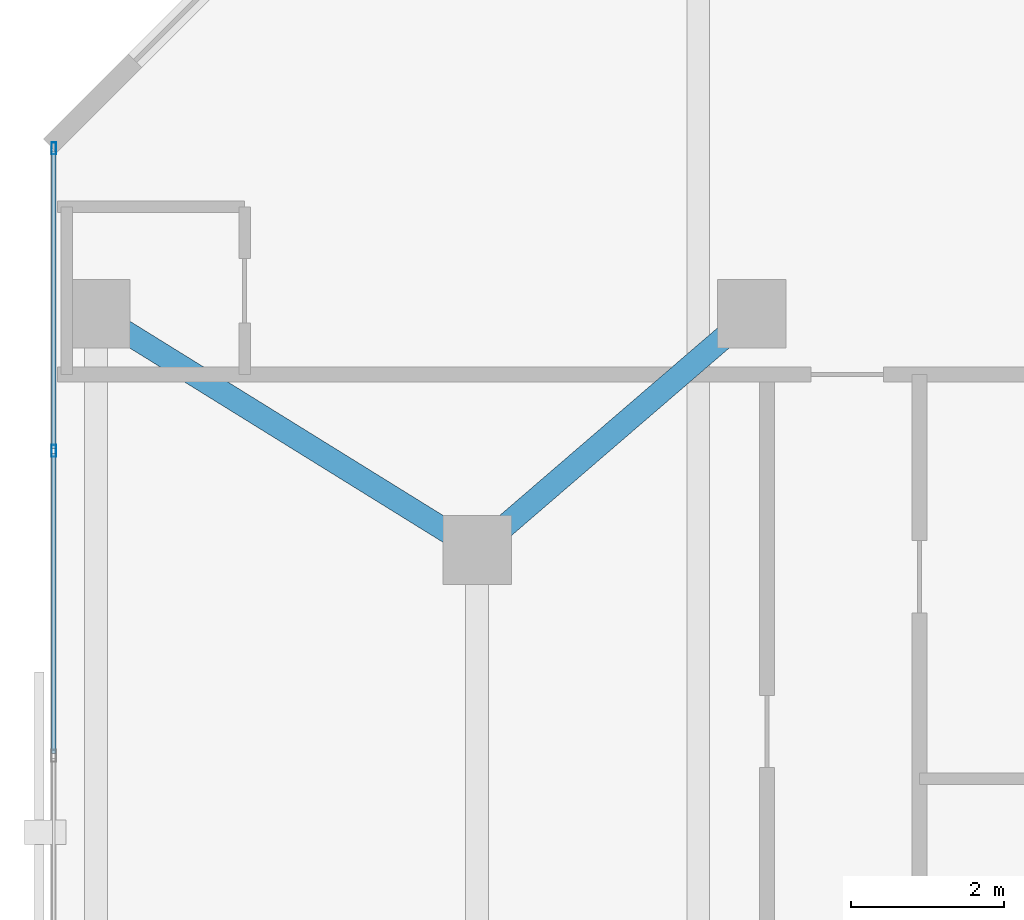
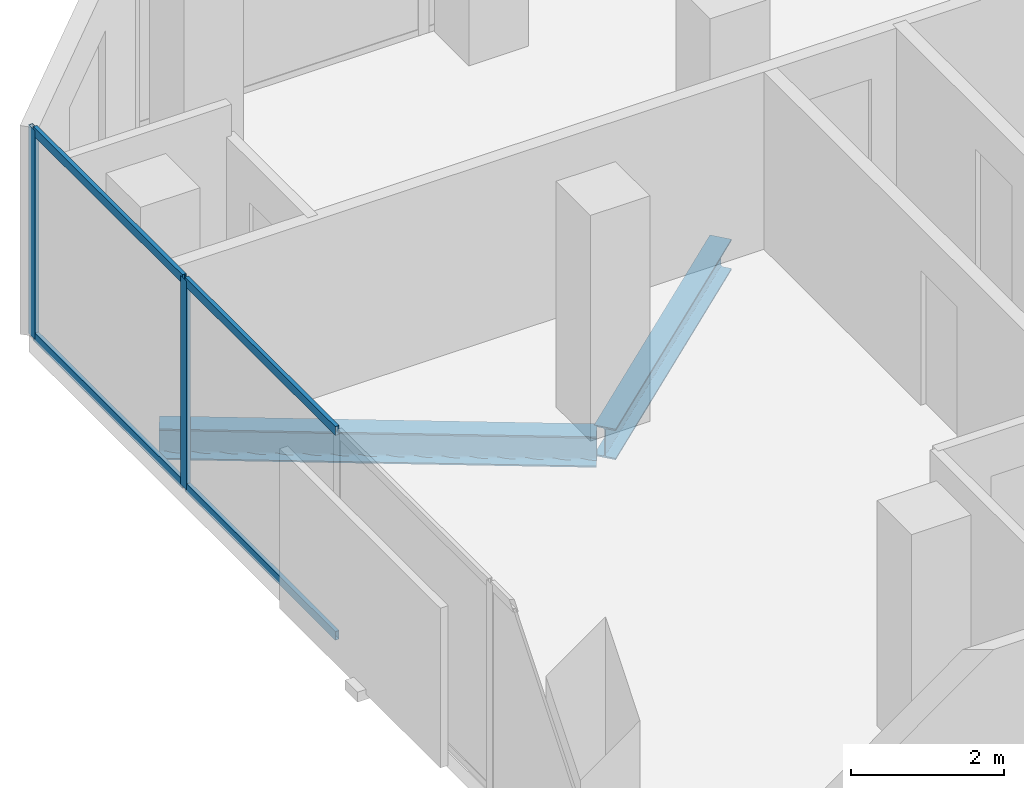
# One storey, part 17 of 34: 6 members, 2 beams, 1 element without a shape of its own.
"""IFC4 building model written with IfcOpenShell, lengths in metres."""

from ifc_helpers import new_model, si_unit, direction, frame, origin, origin_2d, place, context, subcontext, project, spatial, hollow_rectangle, i_section, extrude, material, layer, layer_set, material_profile, profile_set, type_object, element, aggregate, save


model = new_model("IFC4")

# Units and contexts
model_context = context("Model", 3, precision=1e-05, world=origin(), true_north=direction((0.0, 1.0)))
body_context = subcontext(model_context, "Body", "Model", "MODEL_VIEW")
ifc_project = project(units=[si_unit("LENGTHUNIT", "METRE"), si_unit("AREAUNIT", "SQUARE_METRE"), si_unit("VOLUMEUNIT", "CUBIC_METRE"), si_unit("PLANEANGLEUNIT", "RADIAN"), si_unit("MASSUNIT", "GRAM", prefix="KILO")], contexts=[model_context])

# Site, building, storey
site_placement = place(None, origin())
site = spatial("IfcSite", under=ifc_project, at=site_placement, CompositionType="ELEMENT")
building_placement = place(site_placement, origin())
building = spatial("IfcBuilding", under=site, at=building_placement, Name="Catumbela Crestline Tower", CompositionType="ELEMENT")
storey_placement = place(building_placement, frame((0.0, 0.0, 97.2)))
storey = spatial("IfcBuildingStorey", under=building, at=storey_placement, Name="L24", CompositionType="ELEMENT", Elevation=97.2)

# Beams
ifc_material_1 = material(Name="Structural steel S355J2", Category="steel")
ifc_material_profile_1 = material_profile(ifc_material_1, i_section(OverallWidth=0.3, OverallDepth=0.49, WebThickness=0.012, FlangeThickness=0.023, FilletRadius=0.027, at=origin_2d()), Name="HEA 500")
ifc_profile_set_1 = profile_set([ifc_material_profile_1], Name="Structural steel S355J2")
beam_type = type_object("IfcBeamType", Name="BG-HEA500", PredefinedType="BEAM", material=ifc_profile_set_1)
beam_1_placement = place(storey_placement, frame((0.668, 42.2578, -0.505), z_axis=(0.849908952007, -0.526929571479, 0.0), x_axis=(0.526929571479, 0.849908952007, 0.0)))
element("IfcBeam", 1, at=beam_1_placement, inside=storey, type_object=beam_type, Name="L24 Beam BM-L24-N12", PredefinedType="BEAM", context=body_context, shape_type="SweptSolid", body=[
    extrude(i_section(OverallWidth=0.3, OverallDepth=0.49, WebThickness=0.012, FlangeThickness=0.023, FilletRadius=0.027, at=origin_2d()), origin(), (0.0, 0.0, 1.0), 5.723),
])
beam_2_placement = place(storey_placement, frame((5.6606, 39.2522, -0.505), z_axis=(0.757772392559, 0.652518966066, 0.0), x_axis=(-0.652518966066, 0.757772392559, 0.0)))
element("IfcBeam", 2, at=beam_2_placement, inside=storey, type_object=beam_type, Name="L24 Beam BM-L24-N13", PredefinedType="BEAM", context=body_context, shape_type="SweptSolid", body=[
    extrude(i_section(OverallWidth=0.3, OverallDepth=0.49, WebThickness=0.012, FlangeThickness=0.023, FilletRadius=0.027, at=origin_2d()), origin(), (0.0, 0.0, 1.0), 4.5908),
])

# Curtain wall, members
ifc_material_2 = material(Name="Aluminium alloy AW-6060-T66", Category="aluminium")
ifc_layer = layer(ifc_material_2, 0.18, Name="Aluminium alloy AW-6060-T66")
ifc_layer_set = layer_set([ifc_layer], Name="Aluminium alloy AW-6060-T66")
curtain_wall_type = type_object("IfcCurtainWallType", Name="CWU-Z2", PredefinedType="USERDEFINED", material=ifc_layer_set)
curtain_wall_placement = place(storey_placement, origin())
curtain_wall = element("IfcCurtainWall", 3, at=curtain_wall_placement, inside=storey, type_object=curtain_wall_type, Name="L24 Unitised Curtain Wall CW-L24-E9S1", ObjectType="UNITISED", PredefinedType="USERDEFINED")
ifc_material_profile_2 = material_profile(ifc_material_2, hollow_rectangle(XDim=0.06, YDim=0.16, WallThickness=0.004, at=origin_2d()), Name="ALU 160x60x4")
ifc_profile_set_2 = profile_set([ifc_material_profile_2], Name="Aluminium alloy AW-6060-T66")
member_type_1 = type_object("IfcMemberType", Name="MUL-160X60", PredefinedType="MULLION", material=ifc_profile_set_2)
member_1_placement = place(storey_placement, frame((0.05, 44.4675, 0.0), z_axis=(0.0, 0.0, 1.0), x_axis=(1.0, 0.0, 0.0)))
member_1 = element("IfcMember", 4, at=member_1_placement, type_object=member_type_1, Name="CWU-Z2 mullion 1", PredefinedType="MULLION", context=body_context, shape_type="SweptSolid", body=[
    extrude(hollow_rectangle(XDim=0.06, YDim=0.16, WallThickness=0.004, at=origin_2d()), origin(), (0.0, 0.0, 1.0), 3.33),
])
member_2_placement = place(storey_placement, frame((0.05, 40.5, 0.0), z_axis=(0.0, 0.0, 1.0), x_axis=(1.0, 0.0, 0.0)))
member_2 = element("IfcMember", 5, at=member_2_placement, type_object=member_type_1, Name="CWU-Z2 mullion 2", PredefinedType="MULLION", context=body_context, shape_type="SweptSolid", body=[
    extrude(hollow_rectangle(XDim=0.06, YDim=0.16, WallThickness=0.004, at=origin_2d()), origin(), (0.0, 0.0, 1.0), 3.33),
])
ifc_material_profile_3 = material_profile(ifc_material_2, hollow_rectangle(XDim=0.06, YDim=0.14, WallThickness=0.004, at=origin_2d()), Name="ALU 140x60x4")
ifc_profile_set_3 = profile_set([ifc_material_profile_3], Name="Aluminium alloy AW-6060-T66")
member_type_2 = type_object("IfcMemberType", Name="TRN-140X60", PredefinedType="USERDEFINED", material=ifc_profile_set_3)
member_3_placement = place(storey_placement, frame((0.05, 44.435, 0.03), z_axis=(0.0, -1.0, 0.0), x_axis=(1.0, 0.0, 0.0)))
member_3 = element("IfcMember", 6, at=member_3_placement, type_object=member_type_2, Name="CWU-Z2 transom 1.1", ObjectType="TRANSOM", PredefinedType="USERDEFINED", context=body_context, shape_type="SweptSolid", body=[
    extrude(hollow_rectangle(XDim=0.06, YDim=0.14, WallThickness=0.004, at=origin_2d()), origin(), (0.0, 0.0, 1.0), 3.9025),
])
member_4_placement = place(storey_placement, frame((0.05, 44.435, 3.3), z_axis=(0.0, -1.0, 0.0), x_axis=(1.0, 0.0, 0.0)))
member_4 = element("IfcMember", 7, at=member_4_placement, type_object=member_type_2, Name="CWU-Z2 transom 1.2", ObjectType="TRANSOM", PredefinedType="USERDEFINED", context=body_context, shape_type="SweptSolid", body=[
    extrude(hollow_rectangle(XDim=0.06, YDim=0.14, WallThickness=0.004, at=origin_2d()), origin(), (0.0, 0.0, 1.0), 3.9025),
])
member_5_placement = place(storey_placement, frame((0.05, 40.4675, 0.03), z_axis=(0.0, -1.0, 0.0), x_axis=(1.0, 0.0, 0.0)))
member_5 = element("IfcMember", 8, at=member_5_placement, type_object=member_type_2, Name="CWU-Z2 transom 2.1", ObjectType="TRANSOM", PredefinedType="USERDEFINED", context=body_context, shape_type="SweptSolid", body=[
    extrude(hollow_rectangle(XDim=0.06, YDim=0.14, WallThickness=0.004, at=origin_2d()), origin(), (0.0, 0.0, 1.0), 3.935),
])
member_6_placement = place(storey_placement, frame((0.05, 40.4675, 3.3), z_axis=(0.0, -1.0, 0.0), x_axis=(1.0, 0.0, 0.0)))
member_6 = element("IfcMember", 9, at=member_6_placement, type_object=member_type_2, Name="CWU-Z2 transom 2.2", ObjectType="TRANSOM", PredefinedType="USERDEFINED", context=body_context, shape_type="SweptSolid", body=[
    extrude(hollow_rectangle(XDim=0.06, YDim=0.14, WallThickness=0.004, at=origin_2d()), origin(), (0.0, 0.0, 1.0), 3.935),
])
aggregate(curtain_wall, [member_1, member_2, member_3, member_4, member_5, member_6])

save(model, "model.ifc")
